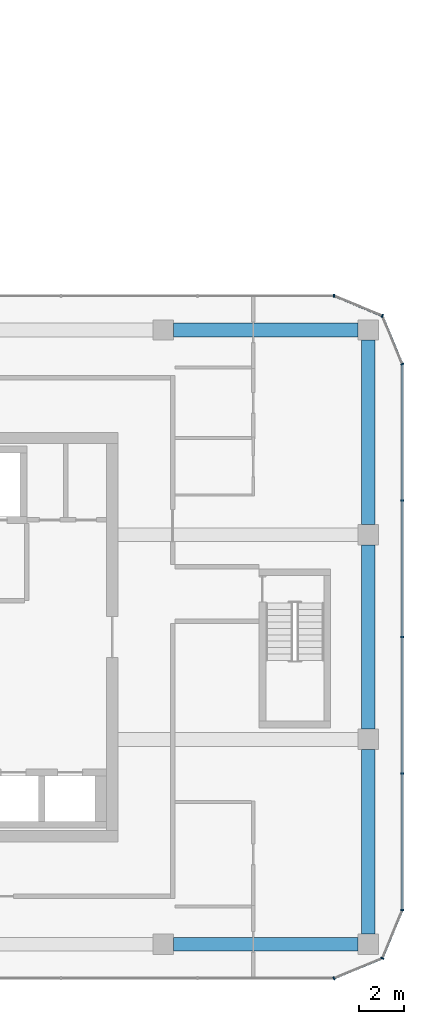
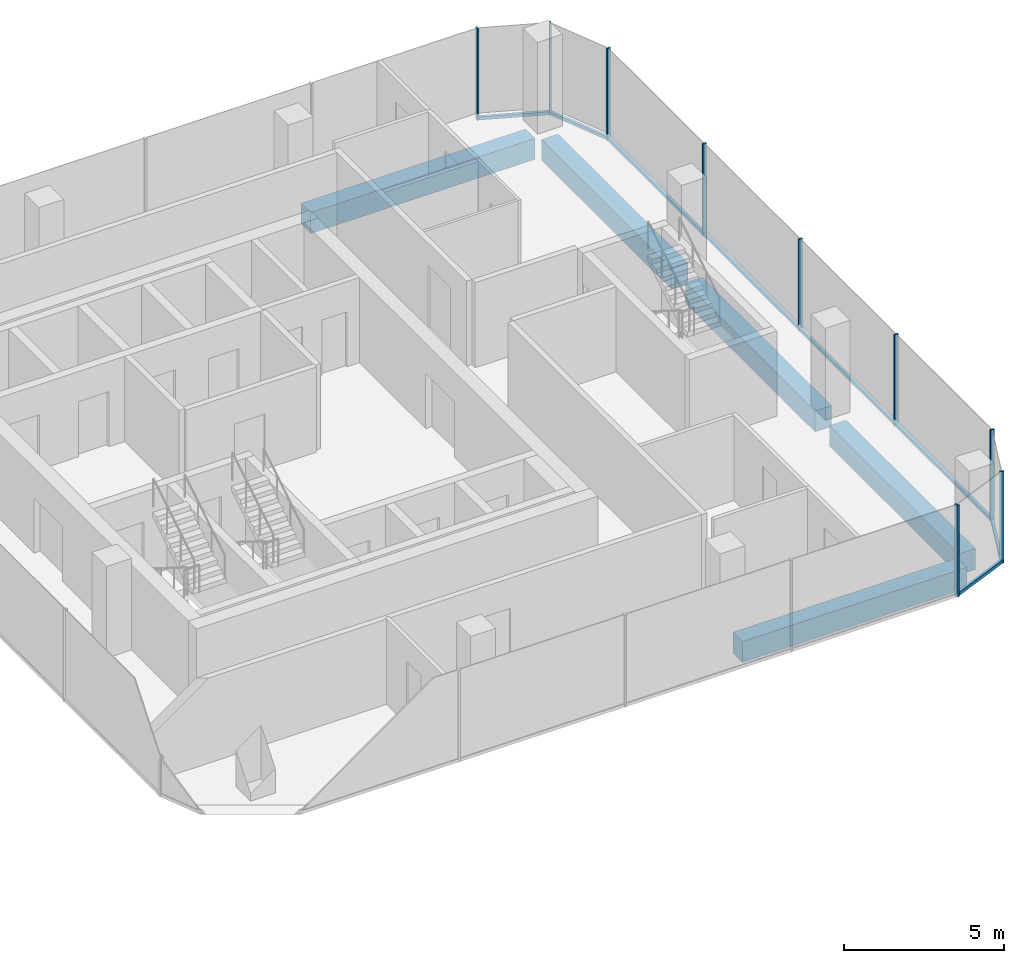
# One storey, part 11 of 24: 14 members, 5 beams, 6 elements without a shape of their own.
"""IFC4 building model written with IfcOpenShell, lengths in metres."""

from ifc_helpers import new_model, si_unit, direction, frame, origin, origin_2d, place, context, subcontext, project, spatial, rectangle, extrude, material, layer, layer_set, material_profile, profile_set, type_object, element, aggregate, save


model = new_model("IFC4")

# Units and contexts
model_context = context("Model", 3, precision=1e-05, world=origin(), true_north=direction((0.0, 1.0)))
body_context = subcontext(model_context, "Body", "Model", "MODEL_VIEW")
ifc_project = project(units=[si_unit("LENGTHUNIT", "METRE"), si_unit("AREAUNIT", "SQUARE_METRE"), si_unit("VOLUMEUNIT", "CUBIC_METRE"), si_unit("PLANEANGLEUNIT", "RADIAN"), si_unit("MASSUNIT", "GRAM", prefix="KILO")], contexts=[model_context])

# Site, building, storey
site_placement = place(None, origin())
site = spatial("IfcSite", under=ifc_project, at=site_placement, CompositionType="ELEMENT")
building_placement = place(site_placement, origin())
building = spatial("IfcBuilding", under=site, at=building_placement, Name="Plateau Cross Towers", CompositionType="ELEMENT")
storey_placement = place(building_placement, frame((0.0, 0.0, 47.800048828125)))
storey = spatial("IfcBuildingStorey", under=building, at=storey_placement, Name="L11", CompositionType="ELEMENT", Elevation=47.800048828125)

# Curtain wall, member
ifc_material_1 = material(Name="Dark low-iron glass", Category="glass")
ifc_layer = layer(ifc_material_1, 0.239990234375)
ifc_layer_set = layer_set([ifc_layer], Name="Dark low-iron glass")
curtain_wall_type = type_object("IfcCurtainWallType", Name="Curtain wall office unitised CW-F", PredefinedType="NOTDEFINED", material=ifc_layer_set)
curtain_wall_1_placement = place(storey_placement, origin())
curtain_wall_1 = element("IfcCurtainWall", 1, at=curtain_wall_1_placement, inside=storey, type_object=curtain_wall_type, Name="ENV/B/L11/B990_-60", PredefinedType="NOTDEFINED")
ifc_material_2 = material(Name="Black anodised aluminium", Category="aluminium")
ifc_material_profile_1 = material_profile(ifc_material_2, rectangle(XDim=0.06005859375, YDim=0.139892578125, at=origin_2d()), Name="MULLION 60x140")
ifc_profile_set_1 = profile_set([ifc_material_profile_1], Name="Black anodised aluminium")
member_type_1 = type_object("IfcMemberType", Name="Mullion 60x140 office unitised", PredefinedType="MULLION", material=ifc_profile_set_1)
member_1_placement = place(storey_placement, frame((99.0, -6.0, -0.25), z_axis=(0.0, 0.0, 1.0), x_axis=(0.923879457699, 0.382683612978, 0.0)))
member_1 = element("IfcMember", 2, at=member_1_placement, type_object=member_type_1, Name="CW-F mullion 1", PredefinedType="MULLION", context=body_context, shape_type="SweptSolid", body=[
    extrude(rectangle(XDim=0.06005859375, YDim=0.139892578125, at=origin_2d()), origin(), (0.0, 0.0, 1.0), 3.5),
])

curtain_wall_2_placement = place(storey_placement, origin())
curtain_wall_2 = element("IfcCurtainWall", 3, at=curtain_wall_2_placement, inside=storey, type_object=curtain_wall_type, Name="ENV/B/L11/B1011_-51", PredefinedType="NOTDEFINED")
member_2_placement = place(storey_placement, frame((101.121337890625, -5.121337890625, -0.25), z_axis=(0.0, 0.0, 1.0), x_axis=(0.382683612978, 0.923879457699, 0.0)))
member_2 = element("IfcMember", 4, at=member_2_placement, type_object=member_type_1, Name="CW-F mullion 1", PredefinedType="MULLION", context=body_context, shape_type="SweptSolid", body=[
    extrude(rectangle(XDim=0.06005859375, YDim=0.139892578125, at=origin_2d()), origin(), (0.0, 0.0, 1.0), 3.5),
])

# Curtain wall, members
curtain_wall_3_placement = place(storey_placement, origin())
curtain_wall_3 = element("IfcCurtainWall", 5, at=curtain_wall_3_placement, inside=storey, type_object=curtain_wall_type, Name="ENV/B/L11/B1020_-30", PredefinedType="NOTDEFINED")
member_3_placement = place(storey_placement, frame((102.0, -3.0, -0.25), z_axis=(0.0, 0.0, 1.0), x_axis=(0.0, 1.0, 0.0)))
member_3 = element("IfcMember", 6, at=member_3_placement, type_object=member_type_1, Name="CW-F mullion 1", PredefinedType="MULLION", context=body_context, shape_type="SweptSolid", body=[
    extrude(rectangle(XDim=0.06005859375, YDim=0.139892578125, at=origin_2d()), origin(), (0.0, 0.0, 1.0), 3.5),
])
member_4_placement = place(storey_placement, frame((102.0, 3.0, -0.25), z_axis=(0.0, 0.0, 1.0), x_axis=(0.0, 1.0, 0.0)))
member_4 = element("IfcMember", 7, at=member_4_placement, type_object=member_type_1, Name="CW-F mullion 2", PredefinedType="MULLION", context=body_context, shape_type="SweptSolid", body=[
    extrude(rectangle(XDim=0.06005859375, YDim=0.139892578125, at=origin_2d()), origin(), (0.0, 0.0, 1.0), 3.5),
])
member_5_placement = place(storey_placement, frame((102.0, 9.0, -0.25), z_axis=(0.0, 0.0, 1.0), x_axis=(0.0, 1.0, 0.0)))
member_5 = element("IfcMember", 8, at=member_5_placement, type_object=member_type_1, Name="CW-F mullion 3", PredefinedType="MULLION", context=body_context, shape_type="SweptSolid", body=[
    extrude(rectangle(XDim=0.06005859375, YDim=0.139892578125, at=origin_2d()), origin(), (0.0, 0.0, 1.0), 3.5),
])
member_6_placement = place(storey_placement, frame((102.0, 15.0, -0.25), z_axis=(0.0, 0.0, 1.0), x_axis=(0.0, 1.0, 0.0)))
member_6 = element("IfcMember", 9, at=member_6_placement, type_object=member_type_1, Name="CW-F mullion 4", PredefinedType="MULLION", context=body_context, shape_type="SweptSolid", body=[
    extrude(rectangle(XDim=0.06005859375, YDim=0.139892578125, at=origin_2d()), origin(), (0.0, 0.0, 1.0), 3.5),
])

# Curtain wall, member
curtain_wall_4_placement = place(storey_placement, origin())
curtain_wall_4 = element("IfcCurtainWall", 10, at=curtain_wall_4_placement, inside=storey, type_object=curtain_wall_type, Name="ENV/B/L11/B1020_210", PredefinedType="NOTDEFINED")
member_7_placement = place(storey_placement, frame((102.0, 21.0, -0.25), z_axis=(0.0, 0.0, 1.0), x_axis=(-0.382683612978, 0.923879457699, 0.0)))
member_7 = element("IfcMember", 11, at=member_7_placement, type_object=member_type_1, Name="CW-F mullion 1", PredefinedType="MULLION", context=body_context, shape_type="SweptSolid", body=[
    extrude(rectangle(XDim=0.06005859375, YDim=0.139892578125, at=origin_2d()), origin(), (0.0, 0.0, 1.0), 3.5),
])

curtain_wall_5_placement = place(storey_placement, origin())
curtain_wall_5 = element("IfcCurtainWall", 12, at=curtain_wall_5_placement, inside=storey, type_object=curtain_wall_type, Name="ENV/B/L11/B1011_231", PredefinedType="NOTDEFINED")
member_8_placement = place(storey_placement, frame((101.121337890625, 23.121337890625, -0.25), z_axis=(0.0, 0.0, 1.0), x_axis=(-0.923879457699, 0.382683612978, 0.0)))
member_8 = element("IfcMember", 13, at=member_8_placement, type_object=member_type_1, Name="CW-F mullion 1", PredefinedType="MULLION", context=body_context, shape_type="SweptSolid", body=[
    extrude(rectangle(XDim=0.06005859375, YDim=0.139892578125, at=origin_2d()), origin(), (0.0, 0.0, 1.0), 3.5),
])

curtain_wall_6_placement = place(storey_placement, origin())
curtain_wall_6 = element("IfcCurtainWall", 14, at=curtain_wall_6_placement, inside=storey, type_object=curtain_wall_type, Name="ENV/B/L11/B990_240", PredefinedType="NOTDEFINED")
member_9_placement = place(storey_placement, frame((99.0, 24.0, -0.25), z_axis=(0.0, 0.0, 1.0), x_axis=(-1.0, 0.0, 0.0)))
member_9 = element("IfcMember", 15, at=member_9_placement, type_object=member_type_1, Name="CW-F mullion 1", PredefinedType="MULLION", context=body_context, shape_type="SweptSolid", body=[
    extrude(rectangle(XDim=0.06005859375, YDim=0.139892578125, at=origin_2d()), origin(), (0.0, 0.0, 1.0), 3.5),
])
aggregate(curtain_wall_6, [member_9])

# Beams
ifc_material_3 = material(Name="Concrete C60/75", Category="concrete")
ifc_material_profile_2 = material_profile(ifc_material_3, rectangle(XDim=0.60009765625, YDim=0.800048828125, at=origin_2d()), Name="RC 600x800")
ifc_profile_set_2 = profile_set([ifc_material_profile_2], Name="Concrete C60/75")
beam_type = type_object("IfcBeamType", Name="Ring beam RC 600x800", PredefinedType="BEAM", material=ifc_profile_set_2)
for number, where, z_axis, x_axis, name in (
    (16, (91.949951171875, -4.5, -0.650146484375), (1.0, 0.0, 0.0), (0.0, 1.0, 0.0), "B-RB02@L11"),
    (17, (100.5, -4.050048828125, -0.650146484375), (0.0, 1.0, 0.0), (-1.0, 0.0, 0.0), "B-RB03@L11"),
    (18, (100.5, 4.949951171875, -0.650146484375), (0.0, 1.0, 0.0), (-1.0, 0.0, 0.0), "B-RB04@L11"),
    (19, (100.5, 13.949951171875, -0.650146484375), (0.0, 1.0, 0.0), (-1.0, 0.0, 0.0), "B-RB05@L11"),
    (20, (100.050048828125, 22.5, -0.650146484375), (-1.0, 0.0, 0.0), (0.0, -1.0, 0.0), "B-RB06@L11"),
):
    element("IfcBeam", number, at=place(storey_placement, frame(where, z_axis=z_axis, x_axis=x_axis)), inside=storey, type_object=beam_type, Name=name, PredefinedType="BEAM", context=body_context, shape_type="SweptSolid", body=[
        extrude(rectangle(XDim=0.60009765625, YDim=0.800048828125, at=origin_2d()), origin(), (0.0, 0.0, 1.0), 8.10009765625),
    ])

# Member
ifc_material_profile_3 = material_profile(ifc_material_2, rectangle(XDim=0.10009765625, YDim=0.1201171875, at=origin_2d()), Name="TRANSOM 100x120")
ifc_profile_set_3 = profile_set([ifc_material_profile_3], Name="Black anodised aluminium")
member_type_2 = type_object("IfcMemberType", Name="Transom 100x120 office unitised", PredefinedType="USERDEFINED", material=ifc_profile_set_3)
member_10_placement = place(storey_placement, frame((99.0, -6.0, -0.18994140625), z_axis=(0.923883353507, 0.382674207535, 0.0), x_axis=(-0.382674207535, 0.923883353507, 0.0)))
member_10 = element("IfcMember", 21, at=member_10_placement, type_object=member_type_2, Name="CW-F transom", ObjectType="TRANSOM", PredefinedType="USERDEFINED", context=body_context, shape_type="SweptSolid", body=[
    extrude(rectangle(XDim=0.10009765625, YDim=0.1201171875, at=origin_2d()), origin(), (0.0, 0.0, 1.0), 2.296142578125),
])

aggregate(curtain_wall_1, [member_1, member_10])

member_11_placement = place(storey_placement, frame((101.121337890625, -5.121337890625, -0.18994140625), z_axis=(0.382674207535, 0.923883353507, 0.0), x_axis=(-0.923883353507, 0.382674207535, 0.0)))
member_11 = element("IfcMember", 22, at=member_11_placement, type_object=member_type_2, Name="CW-F transom", ObjectType="TRANSOM", PredefinedType="USERDEFINED", context=body_context, shape_type="SweptSolid", body=[
    extrude(rectangle(XDim=0.10009765625, YDim=0.1201171875, at=origin_2d()), origin(), (0.0, 0.0, 1.0), 2.296142578125),
])

aggregate(curtain_wall_2, [member_2, member_11])

member_12_placement = place(storey_placement, frame((102.0, -3.0, -0.18994140625), z_axis=(0.0, 1.0, 0.0), x_axis=(-1.0, 0.0, 0.0)))
member_12 = element("IfcMember", 23, at=member_12_placement, type_object=member_type_2, Name="CW-F transom", ObjectType="TRANSOM", PredefinedType="USERDEFINED", context=body_context, shape_type="SweptSolid", body=[
    extrude(rectangle(XDim=0.10009765625, YDim=0.1201171875, at=origin_2d()), origin(), (0.0, 0.0, 1.0), 24.0),
])

aggregate(curtain_wall_3, [member_3, member_4, member_5, member_6, member_12])

member_13_placement = place(storey_placement, frame((102.0, 21.0, -0.18994140625), z_axis=(-0.382674207535, 0.923883353507, 0.0), x_axis=(-0.923883353507, -0.382674207535, 0.0)))
member_13 = element("IfcMember", 24, at=member_13_placement, type_object=member_type_2, Name="CW-F transom", ObjectType="TRANSOM", PredefinedType="USERDEFINED", context=body_context, shape_type="SweptSolid", body=[
    extrude(rectangle(XDim=0.10009765625, YDim=0.1201171875, at=origin_2d()), origin(), (0.0, 0.0, 1.0), 2.296142578125),
])

aggregate(curtain_wall_4, [member_7, member_13])

member_14_placement = place(storey_placement, frame((101.121337890625, 23.121337890625, -0.18994140625), z_axis=(-0.923883353507, 0.382674207535, 0.0), x_axis=(-0.382674207535, -0.923883353507, 0.0)))
member_14 = element("IfcMember", 25, at=member_14_placement, type_object=member_type_2, Name="CW-F transom", ObjectType="TRANSOM", PredefinedType="USERDEFINED", context=body_context, shape_type="SweptSolid", body=[
    extrude(rectangle(XDim=0.10009765625, YDim=0.1201171875, at=origin_2d()), origin(), (0.0, 0.0, 1.0), 2.296142578125),
])

aggregate(curtain_wall_5, [member_8, member_14])

save(model, "model.ifc")
